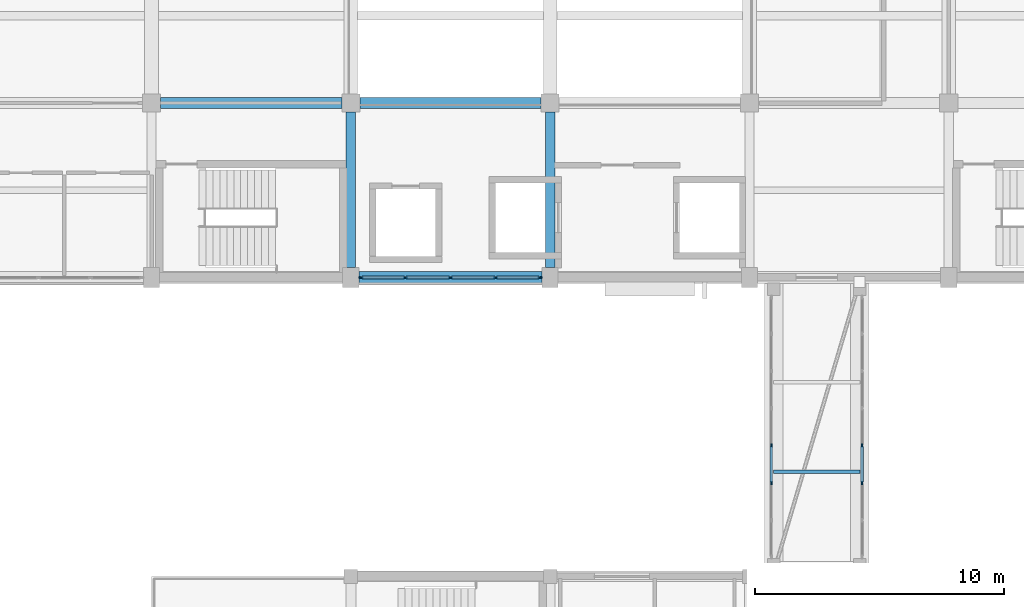
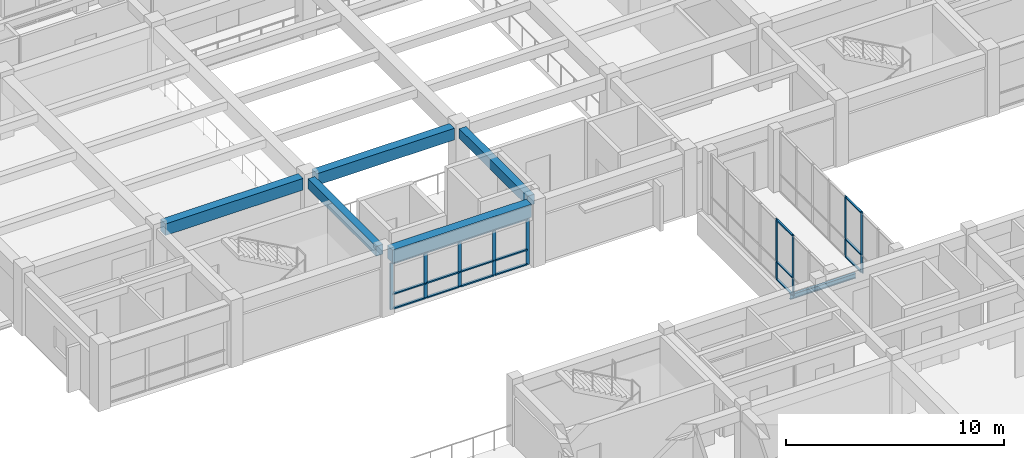
# One storey, part 9 of 42: 27 members, 6 beams, 3 elements without a shape of their own.
"""IFC4 building model written with IfcOpenShell, lengths in metres."""

import ifcopenshell
import ifcopenshell.guid

model = None  # the IFC model being written
_history = None  # IfcOwnerHistory: only IFC2X3 demands one
_inside = {}  # id of a spatial element -> (the spatial element, [elements in it])
_under = {}  # id of a project, library or spatial element -> (it, [spatial elements below it])
_declared = {}  # id of a project -> (the project, [libraries it declares])
_typed = {}  # id of a type object -> (the type object, [elements of that type])
_made_of = {}  # id of a material, layer set ... -> (it, [elements and type objects made of it])


def new_model(schema):
    """Start an empty IFC model of exactly this schema.

    Asked for "IFC4X3", IfcOpenShell would pick the latest addendum, in which some entities
    have other attributes; the version numbers below select the first issue.
    IFC2X3 requires an IfcOwnerHistory on every rooted entity: one is made here for all.
    """
    global model, _history
    if schema == "IFC4X3":
        model = ifcopenshell.file(schema_version=(4, 3, 0, 0))
    else:
        model = ifcopenshell.file(schema=schema)
    _inside.clear()
    _under.clear()
    _declared.clear()
    _typed.clear()
    _made_of.clear()
    _history = None
    if model.schema == "IFC2X3":
        org = make("IfcOrganization", Name="unknown")
        user = make(
            "IfcPersonAndOrganization",
            ThePerson=make("IfcPerson", FamilyName="unknown"),
            TheOrganization=org,
        )
        app = make(
            "IfcApplication",
            ApplicationDeveloper=org,
            Version="unknown",
            ApplicationFullName="unknown",
            ApplicationIdentifier="unknown",
        )
        _history = make(
            "IfcOwnerHistory",
            OwningUser=user,
            OwningApplication=app,
            ChangeAction="ADDED",
            CreationDate=0,
        )
    return model


def make(cls, **values):
    """One entity of the class cls with the attributes given. An attribute that is None is left unset."""
    return model.create_entity(
        cls, **{name: value for name, value in values.items() if value is not None}
    )


def rooted(cls, **values):
    """An entity with a GlobalId (a new one), such as an element, a storey or a relation."""
    return make(cls, GlobalId=ifcopenshell.guid.new(), OwnerHistory=_history, **values)


def si_unit(unit_type, name, prefix=None):
    """IfcSIUnit, for example si_unit("LENGTHUNIT", "METRE", prefix="MILLI")."""
    return make("IfcSIUnit", UnitType=unit_type, Prefix=prefix, Name=name)


def assignment(units):
    """IfcUnitAssignment: the units of a project."""
    return None if units is None else make("IfcUnitAssignment", Units=units)


def point(xyz):
    """IfcCartesianPoint."""
    return None if xyz is None else make("IfcCartesianPoint", Coordinates=xyz)


def direction(xyz):
    """IfcDirection."""
    return None if xyz is None else make("IfcDirection", DirectionRatios=xyz)


def frame(location, z_axis=None, x_axis=None):
    """IfcAxis2Placement3D, a coordinate frame: its origin and axes. An axis left out is left unset."""
    return make(
        "IfcAxis2Placement3D",
        Location=point(location),
        Axis=direction(z_axis),
        RefDirection=direction(x_axis),
    )


def frame_2d(location, x_axis=None):
    """IfcAxis2Placement2D, a coordinate frame in the plane: its origin and x axis."""
    return make(
        "IfcAxis2Placement2D", Location=point(location), RefDirection=direction(x_axis)
    )


def origin():
    """The frame at (0, 0, 0) with its axes left unset."""
    return frame((0.0, 0.0, 0.0))


def origin_2d():
    """The frame at (0, 0) in the plane with its x axis left unset."""
    return frame_2d((0.0, 0.0))


def place(relative_to, where):
    """IfcLocalPlacement: puts the frame where relative to a parent placement (None: the world)."""
    return make(
        "IfcLocalPlacement", PlacementRelTo=relative_to, RelativePlacement=where
    )


def context(
    kind, dimensions, precision=None, world=None, true_north=None, identifier=None
):
    """IfcGeometricRepresentationContext, for example the 3D "Model" context."""
    return make(
        "IfcGeometricRepresentationContext",
        ContextIdentifier=identifier,
        ContextType=kind,
        CoordinateSpaceDimension=dimensions,
        Precision=precision,
        WorldCoordinateSystem=world,
        TrueNorth=true_north,
    )


def subcontext(parent, identifier, kind, view, scale=None):
    """IfcGeometricRepresentationSubContext, for example "Body" below "Model"."""
    return make(
        "IfcGeometricRepresentationSubContext",
        ContextIdentifier=identifier,
        ContextType=kind,
        ParentContext=parent,
        TargetScale=scale,
        TargetView=view,
    )


def project(units=None, contexts=None):
    """IfcProject with its units and contexts."""
    return rooted(
        "IfcProject",
        Name="project",
        RepresentationContexts=contexts,
        UnitsInContext=assignment(units),
    )


def spatial(cls, under=None, at=None, **own):
    """A site, building, storey or space (cls), placed at a placement, below another one or the project."""
    s = rooted(cls, ObjectPlacement=at, **own)
    if under is not None:
        _under.setdefault(under.id(), (under, []))[1].append(s)
    return s


def profile(cls, at=None, kind="AREA", **sizes):
    """A parametric profile (cls). Its sizes go by their IFC names, for example OverallWidth=200.0."""
    return make(cls, ProfileType=kind, Position=at, **sizes)


def rectangle(**sizes):
    """IfcRectangleProfileDef."""
    return profile("IfcRectangleProfileDef", **sizes)


def i_section(**sizes):
    """IfcIShapeProfileDef."""
    return profile("IfcIShapeProfileDef", **sizes)


def extrude(swept, where, along, depth):
    """IfcExtrudedAreaSolid: the profile swept, set in the frame where, extruded along a direction by depth."""
    return make(
        "IfcExtrudedAreaSolid",
        SweptArea=swept,
        Position=where,
        ExtrudedDirection=direction(along),
        Depth=depth,
    )


def shape(context_of_items, identifier, shape_type, items):
    """IfcShapeRepresentation: the items that make up one representation, for example the "Body"."""
    return make(
        "IfcShapeRepresentation",
        ContextOfItems=context_of_items,
        RepresentationIdentifier=identifier,
        RepresentationType=shape_type,
        Items=items,
    )


def material(Name=None, Category=None):
    """IfcMaterial."""
    return make("IfcMaterial", Name=Name, Category=Category)


def layer(
    of_material, thickness, ventilated=None, Name=None, Category=None, Priority=None
):
    """IfcMaterialLayer: one layer of a wall or slab, of a material (None: an air gap)."""
    return make(
        "IfcMaterialLayer",
        Material=of_material,
        LayerThickness=thickness,
        IsVentilated=ventilated,
        Name=Name,
        Category=Category,
        Priority=Priority,
    )


def layer_set(layers, Name=None):
    """IfcMaterialLayerSet."""
    return make("IfcMaterialLayerSet", MaterialLayers=layers, LayerSetName=Name)


def material_profile(
    of_material, cross_section, Name=None, Category=None, Priority=None
):
    """IfcMaterialProfile: a cross section and its material."""
    return make(
        "IfcMaterialProfile",
        Name=Name,
        Material=of_material,
        Profile=cross_section,
        Priority=Priority,
        Category=Category,
    )


def profile_set(profiles, Name=None, composite=None):
    """IfcMaterialProfileSet."""
    return make(
        "IfcMaterialProfileSet",
        Name=Name,
        MaterialProfiles=profiles,
        CompositeProfile=composite,
    )


def made_of(thing, what):
    """Note that an element or type object is made of a material, layer set ...; save() writes the relation."""
    if what is not None:
        _made_of.setdefault(what.id(), (what, []))[1].append(thing)
    return thing


def type_object(cls, material=None, **own):
    """A type object (cls), such as IfcWallType, which elements share."""
    return made_of(rooted(cls, **own), material)


def element(
    cls,
    number,
    at=None,
    inside=None,
    cuts=None,
    type_object=None,
    material=None,
    context=None,
    identifier="Body",
    shape_type=None,
    held_by="IfcProductDefinitionShape",
    body=None,
    shapes=None,
    **own,
):
    """One element of the class cls, such as IfcWall. Its Tag is "e" and its number.

    at: its placement. inside: the storey or other place that contains it. cuts: it is an
    opening in that element (IfcRelVoidsElement). A single representation is given by context,
    identifier, shape_type and body (its items); several are given by shapes. held_by: the class
    of the entity that holds the representations. save() writes the other relations.
    """
    e = rooted(cls, Tag="e%d" % number, ObjectPlacement=at, **own)
    if body is not None:
        shapes = [shape(context, identifier, shape_type, body)]
    if shapes is not None:
        e.Representation = make(held_by, Representations=shapes)
    if inside is not None:
        _inside.setdefault(inside.id(), (inside, []))[1].append(e)
    if cuts is not None:
        rooted(
            "IfcRelVoidsElement", RelatingBuildingElement=cuts, RelatedOpeningElement=e
        )
    if type_object is not None:
        _typed.setdefault(type_object.id(), (type_object, []))[1].append(e)
    return made_of(e, material)


def aggregate(whole, parts):
    """IfcRelAggregates: a whole, such as a stair, and the parts it consists of."""
    return rooted("IfcRelAggregates", RelatingObject=whole, RelatedObjects=parts)


def save(model, path):
    """Write the relations noted so far, then the file.

    IfcRelAggregates (storeys below a building ...), IfcRelContainedInSpatialStructure (elements
    in a storey), IfcRelDefinesByType, IfcRelAssociatesMaterial and IfcRelDeclares: one each for
    every whole, place, type object, material and project.
    """
    for whole, parts in _under.values():
        aggregate(whole, parts)
    for where, things in _inside.values():
        rooted(
            "IfcRelContainedInSpatialStructure",
            RelatedElements=things,
            RelatingStructure=where,
        )
    for kind, things in _typed.values():
        rooted("IfcRelDefinesByType", RelatedObjects=things, RelatingType=kind)
    for what, things in _made_of.values():
        rooted("IfcRelAssociatesMaterial", RelatedObjects=things, RelatingMaterial=what)
    for by, libraries in _declared.values():
        rooted("IfcRelDeclares", RelatingContext=by, RelatedDefinitions=libraries)
    model.write(path)


model = new_model("IFC4")

# Units and contexts
model_context = context("Model", 3, precision=1e-05, world=origin(), true_north=direction((0.0, 1.0)))
body_context = subcontext(model_context, "Body", "Model", "MODEL_VIEW")
ifc_project = project(units=[si_unit("LENGTHUNIT", "METRE"), si_unit("AREAUNIT", "SQUARE_METRE"), si_unit("VOLUMEUNIT", "CUBIC_METRE"), si_unit("PLANEANGLEUNIT", "RADIAN"), si_unit("MASSUNIT", "GRAM", prefix="KILO")], contexts=[model_context])

# Site, building, storey
site_placement = place(None, origin())
site = spatial("IfcSite", under=ifc_project, at=site_placement, CompositionType="ELEMENT")
building_placement = place(site_placement, origin())
building = spatial("IfcBuilding", under=site, at=building_placement, Name="Naurynzar Civic Courthouse", CompositionType="ELEMENT")
storey_placement = place(building_placement, frame((0.0, 0.0, 18.300048828125)))
storey = spatial("IfcBuildingStorey", under=building, at=storey_placement, Name="L05", CompositionType="ELEMENT", Elevation=18.300048828125)

# Beams
ifc_material_1 = material(Name="Concrete C40/50", Category="concrete")
ifc_material_profile_1 = material_profile(ifc_material_1, rectangle(XDim=0.375, YDim=0.550048828125, at=origin_2d()), Name="RCB 375x550")
ifc_profile_set_1 = profile_set([ifc_material_profile_1], Name="Concrete C40/50")
beam_type_1 = type_object("IfcBeamType", Name="BM-RC-375x550", PredefinedType="BEAM", material=ifc_profile_set_1)
for number, where, z_axis, x_axis, name in (
    (1, (77.0, 44.39990234375, 3.195068359375), (0.0, 1.0, 0.0), (-1.0, 0.0, 0.0), "V2 girder Y-780 L05"),
    (2, (85.0, 44.39990234375, 3.195068359375), (0.0, 1.0, 0.0), (-1.0, 0.0, 0.0), "V2 girder Y-783 L05"),
):
    element("IfcBeam", number, at=place(storey_placement, frame(where, z_axis=z_axis, x_axis=x_axis)), inside=storey, type_object=beam_type_1, Name=name, PredefinedType="BEAM", context=body_context, shape_type="SweptSolid", body=[
        extrude(rectangle(XDim=0.375, YDim=0.550048828125, at=origin_2d()), origin(), (0.0, 0.0, 1.0), 6.237548828125),
    ])
ifc_material_2 = material(Name="Concrete C40/50", Category="concrete")
ifc_material_profile_2 = material_profile(ifc_material_2, rectangle(XDim=0.449951171875, YDim=0.64990234375, at=origin_2d()), Name="RCB 450x650")
ifc_profile_set_2 = profile_set([ifc_material_profile_2], Name="Concrete C40/50")
beam_type_2 = type_object("IfcBeamType", Name="BM-RC-450x650", PredefinedType="BEAM", material=ifc_profile_set_2)
for number, where, z_axis, x_axis, name in (
    (3, (69.362548828125, 51.0, 3.14501953125), (1.0, 0.0, 0.0), (0.0, 1.0, 0.0), "V2 beam X-751 L05"),
    (4, (77.362548828125, 51.0, 3.14501953125), (1.0, 0.0, 0.0), (0.0, 1.0, 0.0), "V2 beam X-752 L05"),
):
    element("IfcBeam", number, at=place(storey_placement, frame(where, z_axis=z_axis, x_axis=x_axis)), inside=storey, type_object=beam_type_2, Name=name, PredefinedType="BEAM", context=body_context, shape_type="SweptSolid", body=[
        extrude(rectangle(XDim=0.449951171875, YDim=0.64990234375, at=origin_2d()), origin(), (0.0, 0.0, 1.0), 7.27490234375),
    ])
ifc_material_3 = material(Name="Concrete C40/50", Category="concrete")
ifc_material_profile_3 = material_profile(ifc_material_3, rectangle(XDim=0.47509765625, YDim=0.72509765625, at=origin_2d()), Name="RCB 475x725")
ifc_profile_set_3 = profile_set([ifc_material_profile_3], Name="Concrete C40/50")
beam_type_3 = type_object("IfcBeamType", Name="BM-RC-475x725", PredefinedType="SPANDREL", material=ifc_profile_set_3)
beam_1_placement = place(storey_placement, frame((77.324951171875, 44.0, 3.107421875), z_axis=(1.0, 0.0, 0.0), x_axis=(0.0, 1.0, 0.0)))
element("IfcBeam", 5, at=beam_1_placement, inside=storey, type_object=beam_type_3, Name="V2 beam X-744 L05", PredefinedType="SPANDREL", context=body_context, shape_type="SweptSolid", body=[
    extrude(rectangle(XDim=0.47509765625, YDim=0.72509765625, at=origin_2d()), origin(), (0.0, 0.0, 1.0), 7.35009765625),
])
ifc_material_4 = material(Name="Steel S355", Category="steel")
ifc_material_profile_4 = material_profile(ifc_material_4, i_section(OverallWidth=0.135009765625, OverallDepth=0.27001953125, WebThickness=0.006591796875, FlangeThickness=0.01025390625, FilletRadius=0.014892578125, at=origin_2d()), Name="IPE 270")
ifc_profile_set_4 = profile_set([ifc_material_profile_4], Name="Steel S355")
beam_type_4 = type_object("IfcBeamType", Name="BM-STL-IPE270", PredefinedType="BEAM", material=ifc_profile_set_4)
beam_2_placement = place(storey_placement, frame((93.969970703125, 36.2060546875, -0.375), z_axis=(1.0, 0.0, 0.0), x_axis=(0.0, 1.0, 0.0)))
element("IfcBeam", 6, at=beam_2_placement, inside=storey, type_object=beam_type_4, Name="BR-C1 deck cross-beam L05.1", PredefinedType="BEAM", context=body_context, shape_type="SweptSolid", body=[
    extrude(i_section(OverallWidth=0.135009765625, OverallDepth=0.27001953125, WebThickness=0.006591796875, FlangeThickness=0.01025390625, FilletRadius=0.014892578125, at=origin_2d()), origin(), (0.0, 0.0, 1.0), 3.4599609375),
])

# Curtain wall, members
ifc_material_5 = material(Name="Aluminium 6063-T6", Category="aluminium")
ifc_layer_1 = layer(ifc_material_5, 0.14990234375)
ifc_layer_set_1 = layer_set([ifc_layer_1], Name="CW-BRIDGE-1500")
curtain_wall_type_1 = type_object("IfcCurtainWallType", Name="CW-BRIDGE-1500", PredefinedType="USERDEFINED", material=ifc_layer_set_1)
curtain_wall_1_placement = place(storey_placement, origin())
curtain_wall_1 = element("IfcCurtainWall", 7, at=curtain_wall_1_placement, inside=storey, type_object=curtain_wall_type_1, Name="BR-C1 glazed bridge screen L05.1", ObjectType="GLAZED BRIDGE SCREEN", PredefinedType="USERDEFINED")
ifc_material_6 = material(Name="Aluminium 6063-T6", Category="aluminium")
ifc_material_profile_5 = material_profile(ifc_material_6, rectangle(XDim=0.06005859375, YDim=0.14990234375, at=origin_2d()), Name="ALU MULLION 60x150")
ifc_profile_set_5 = profile_set([ifc_material_profile_5], Name="Aluminium 6063-T6")
member_type_1 = type_object("IfcMemberType", Name="CWM-60x150", PredefinedType="MULLION", material=ifc_profile_set_5)
member_1_placement = place(storey_placement, frame((93.8798828125, 37.25146484375, 0.0), z_axis=(0.0, 0.0, 1.0), x_axis=(1.0, 0.0, 0.0)))
member_1 = element("IfcMember", 8, at=member_1_placement, type_object=member_type_1, Name="CW-03 mullion 5", PredefinedType="MULLION", context=body_context, shape_type="SweptSolid", body=[
    extrude(rectangle(XDim=0.06005859375, YDim=0.14990234375, at=origin_2d()), origin(), (0.0, 0.0, 1.0), 3.369873046875),
])
member_2_placement = place(storey_placement, frame((93.8798828125, 35.75439453125, 0.0), z_axis=(0.0, 0.0, 1.0), x_axis=(1.0, 0.0, 0.0)))
member_2 = element("IfcMember", 9, at=member_2_placement, type_object=member_type_1, Name="CW-03 mullion 6", PredefinedType="MULLION", context=body_context, shape_type="SweptSolid", body=[
    extrude(rectangle(XDim=0.06005859375, YDim=0.14990234375, at=origin_2d()), origin(), (0.0, 0.0, 1.0), 3.369873046875),
])

curtain_wall_2_placement = place(storey_placement, origin())
curtain_wall_2 = element("IfcCurtainWall", 10, at=curtain_wall_2_placement, inside=storey, type_object=curtain_wall_type_1, Name="BR-C1 glazed bridge screen L05.2", ObjectType="GLAZED BRIDGE SCREEN", PredefinedType="USERDEFINED")
member_3_placement = place(storey_placement, frame((97.52001953125, 35.75439453125, 0.0), z_axis=(0.0, 0.0, 1.0), x_axis=(-1.0, 0.0, 0.0)))
member_3 = element("IfcMember", 11, at=member_3_placement, type_object=member_type_1, Name="CW-03 mullion 3", PredefinedType="MULLION", context=body_context, shape_type="SweptSolid", body=[
    extrude(rectangle(XDim=0.06005859375, YDim=0.14990234375, at=origin_2d()), origin(), (0.0, 0.0, 1.0), 3.369873046875),
])
member_4_placement = place(storey_placement, frame((97.52001953125, 37.25146484375, 0.0), z_axis=(0.0, 0.0, 1.0), x_axis=(-1.0, 0.0, 0.0)))
member_4 = element("IfcMember", 12, at=member_4_placement, type_object=member_type_1, Name="CW-03 mullion 4", PredefinedType="MULLION", context=body_context, shape_type="SweptSolid", body=[
    extrude(rectangle(XDim=0.06005859375, YDim=0.14990234375, at=origin_2d()), origin(), (0.0, 0.0, 1.0), 3.369873046875),
])

ifc_material_7 = material(Name="Aluminium 6063-T6", Category="aluminium")
ifc_layer_2 = layer(ifc_material_7, 0.159912109375)
ifc_layer_set_2 = layer_set([ifc_layer_2], Name="CW-UNIT-1800")
curtain_wall_type_2 = type_object("IfcCurtainWallType", Name="CW-UNIT-1800", PredefinedType="NOTDEFINED", material=ifc_layer_set_2)
curtain_wall_3_placement = place(storey_placement, origin())
curtain_wall_3 = element("IfcCurtainWall", 13, at=curtain_wall_3_placement, inside=storey, type_object=curtain_wall_type_2, Name="V2 unitised curtain wall 41 L05", PredefinedType="NOTDEFINED")
ifc_material_8 = material(Name="Aluminium 6063-T6", Category="aluminium")
ifc_material_profile_6 = material_profile(ifc_material_8, rectangle(XDim=0.070068359375, YDim=0.179931640625, at=origin_2d()), Name="ALU MULLION 70x180")
ifc_profile_set_6 = profile_set([ifc_material_profile_6], Name="Aluminium 6063-T6")
member_type_2 = type_object("IfcMemberType", Name="CWM-70x180", PredefinedType="MULLION", material=ifc_profile_set_6)
member_5_placement = place(storey_placement, frame((84.590087890625, 44.0, 0.0), z_axis=(0.0, 0.0, 1.0), x_axis=(0.0, -1.0, 0.0)))
member_5 = element("IfcMember", 14, at=member_5_placement, type_object=member_type_2, Name="CW-02 mullion 1", PredefinedType="MULLION", context=body_context, shape_type="SweptSolid", body=[
    extrude(rectangle(XDim=0.070068359375, YDim=0.179931640625, at=origin_2d()), origin(), (0.0, 0.0, 1.0), 2.599853515625),
])
member_6_placement = place(storey_placement, frame((82.8125, 44.0, 0.0), z_axis=(0.0, 0.0, 1.0), x_axis=(0.0, -1.0, 0.0)))
member_6 = element("IfcMember", 15, at=member_6_placement, type_object=member_type_2, Name="CW-02 mullion 2", PredefinedType="MULLION", context=body_context, shape_type="SweptSolid", body=[
    extrude(rectangle(XDim=0.070068359375, YDim=0.179931640625, at=origin_2d()), origin(), (0.0, 0.0, 1.0), 2.599853515625),
])
member_7_placement = place(storey_placement, frame((81.0, 44.0, 0.0), z_axis=(0.0, 0.0, 1.0), x_axis=(0.0, -1.0, 0.0)))
member_7 = element("IfcMember", 16, at=member_7_placement, type_object=member_type_2, Name="CW-02 mullion 3", PredefinedType="MULLION", context=body_context, shape_type="SweptSolid", body=[
    extrude(rectangle(XDim=0.070068359375, YDim=0.179931640625, at=origin_2d()), origin(), (0.0, 0.0, 1.0), 2.599853515625),
])
member_8_placement = place(storey_placement, frame((79.1875, 44.0, 0.0), z_axis=(0.0, 0.0, 1.0), x_axis=(0.0, -1.0, 0.0)))
member_8 = element("IfcMember", 17, at=member_8_placement, type_object=member_type_2, Name="CW-02 mullion 4", PredefinedType="MULLION", context=body_context, shape_type="SweptSolid", body=[
    extrude(rectangle(XDim=0.070068359375, YDim=0.179931640625, at=origin_2d()), origin(), (0.0, 0.0, 1.0), 2.599853515625),
])
member_9_placement = place(storey_placement, frame((77.409912109375, 44.0, 0.0), z_axis=(0.0, 0.0, 1.0), x_axis=(0.0, -1.0, 0.0)))
member_9 = element("IfcMember", 18, at=member_9_placement, type_object=member_type_2, Name="CW-02 mullion 5", PredefinedType="MULLION", context=body_context, shape_type="SweptSolid", body=[
    extrude(rectangle(XDim=0.070068359375, YDim=0.179931640625, at=origin_2d()), origin(), (0.0, 0.0, 1.0), 2.599853515625),
])

# Member
ifc_material_9 = material(Name="Aluminium 6063-T6", Category="aluminium")
ifc_material_profile_7 = material_profile(ifc_material_9, rectangle(XDim=0.110107421875, YDim=0.06005859375, at=origin_2d()), Name="ALU TRANSOM 60x110")
ifc_profile_set_7 = profile_set([ifc_material_profile_7], Name="Aluminium 6063-T6")
member_type_3 = type_object("IfcMemberType", Name="CWT-60x110", PredefinedType="USERDEFINED", material=ifc_profile_set_7)
member_10_placement = place(storey_placement, frame((93.8798828125, 37.221435546875, 0.030029296875), z_axis=(0.0, -1.0, 0.0), x_axis=(1.0, 0.0, 0.0)))
member_10 = element("IfcMember", 19, at=member_10_placement, type_object=member_type_3, Name="CW-03 transom 5.1", ObjectType="TRANSOM", PredefinedType="USERDEFINED", context=body_context, shape_type="SweptSolid", body=[
    extrude(rectangle(XDim=0.110107421875, YDim=0.06005859375, at=origin_2d()), origin(), (0.0, 0.0, 1.0), 1.437255859375),
])

member_11_placement = place(storey_placement, frame((93.8798828125, 37.221435546875, 1.0), z_axis=(0.0, -1.0, 0.0), x_axis=(1.0, 0.0, 0.0)))
member_11 = element("IfcMember", 20, at=member_11_placement, type_object=member_type_3, Name="CW-03 transom 5.2", ObjectType="TRANSOM", PredefinedType="USERDEFINED", context=body_context, shape_type="SweptSolid", body=[
    extrude(rectangle(XDim=0.110107421875, YDim=0.06005859375, at=origin_2d()), origin(), (0.0, 0.0, 1.0), 1.437255859375),
])

member_12_placement = place(storey_placement, frame((93.8798828125, 37.221435546875, 3.33984375), z_axis=(0.0, -1.0, 0.0), x_axis=(1.0, 0.0, 0.0)))
member_12 = element("IfcMember", 21, at=member_12_placement, type_object=member_type_3, Name="CW-03 transom 5.3", ObjectType="TRANSOM", PredefinedType="USERDEFINED", context=body_context, shape_type="SweptSolid", body=[
    extrude(rectangle(XDim=0.110107421875, YDim=0.06005859375, at=origin_2d()), origin(), (0.0, 0.0, 1.0), 1.437255859375),
])

aggregate(curtain_wall_1, [member_1, member_2, member_10, member_11, member_12])

member_13_placement = place(storey_placement, frame((97.52001953125, 35.7841796875, 0.030029296875), z_axis=(0.0, 1.0, 0.0), x_axis=(-1.0, 0.0, 0.0)))
member_13 = element("IfcMember", 22, at=member_13_placement, type_object=member_type_3, Name="CW-03 transom 3.1", ObjectType="TRANSOM", PredefinedType="USERDEFINED", context=body_context, shape_type="SweptSolid", body=[
    extrude(rectangle(XDim=0.110107421875, YDim=0.06005859375, at=origin_2d()), origin(), (0.0, 0.0, 1.0), 1.437255859375),
])

member_14_placement = place(storey_placement, frame((97.52001953125, 35.7841796875, 1.0), z_axis=(0.0, 1.0, 0.0), x_axis=(-1.0, 0.0, 0.0)))
member_14 = element("IfcMember", 23, at=member_14_placement, type_object=member_type_3, Name="CW-03 transom 3.2", ObjectType="TRANSOM", PredefinedType="USERDEFINED", context=body_context, shape_type="SweptSolid", body=[
    extrude(rectangle(XDim=0.110107421875, YDim=0.06005859375, at=origin_2d()), origin(), (0.0, 0.0, 1.0), 1.437255859375),
])

member_15_placement = place(storey_placement, frame((97.52001953125, 35.7841796875, 3.33984375), z_axis=(0.0, 1.0, 0.0), x_axis=(-1.0, 0.0, 0.0)))
member_15 = element("IfcMember", 24, at=member_15_placement, type_object=member_type_3, Name="CW-03 transom 3.3", ObjectType="TRANSOM", PredefinedType="USERDEFINED", context=body_context, shape_type="SweptSolid", body=[
    extrude(rectangle(XDim=0.110107421875, YDim=0.06005859375, at=origin_2d()), origin(), (0.0, 0.0, 1.0), 1.437255859375),
])

aggregate(curtain_wall_2, [member_3, member_4, member_13, member_14, member_15])

ifc_material_10 = material(Name="Aluminium 6063-T6", Category="aluminium")
ifc_material_profile_8 = material_profile(ifc_material_10, rectangle(XDim=0.1298828125, YDim=0.070068359375, at=origin_2d()), Name="ALU TRANSOM 70x130")
ifc_profile_set_8 = profile_set([ifc_material_profile_8], Name="Aluminium 6063-T6")
member_type_4 = type_object("IfcMemberType", Name="CWT-70x130", PredefinedType="USERDEFINED", material=ifc_profile_set_8)
member_16_placement = place(storey_placement, frame((84.554931640625, 44.0, 0.034912109375), z_axis=(-1.0, 0.0, 0.0), x_axis=(0.0, -1.0, 0.0)))
member_16 = element("IfcMember", 25, at=member_16_placement, type_object=member_type_4, Name="CW-02 transom 1.1", ObjectType="TRANSOM", PredefinedType="USERDEFINED", context=body_context, shape_type="SweptSolid", body=[
    extrude(rectangle(XDim=0.1298828125, YDim=0.070068359375, at=origin_2d()), origin(), (0.0, 0.0, 1.0), 1.70751953125),
])

member_17_placement = place(storey_placement, frame((84.554931640625, 44.0, 0.849853515625), z_axis=(-1.0, 0.0, 0.0), x_axis=(0.0, -1.0, 0.0)))
member_17 = element("IfcMember", 26, at=member_17_placement, type_object=member_type_4, Name="CW-02 transom 1.2", ObjectType="TRANSOM", PredefinedType="USERDEFINED", context=body_context, shape_type="SweptSolid", body=[
    extrude(rectangle(XDim=0.1298828125, YDim=0.070068359375, at=origin_2d()), origin(), (0.0, 0.0, 1.0), 1.70751953125),
])

member_18_placement = place(storey_placement, frame((84.554931640625, 44.0, 2.56494140625), z_axis=(-1.0, 0.0, 0.0), x_axis=(0.0, -1.0, 0.0)))
member_18 = element("IfcMember", 27, at=member_18_placement, type_object=member_type_4, Name="CW-02 transom 1.3", ObjectType="TRANSOM", PredefinedType="USERDEFINED", context=body_context, shape_type="SweptSolid", body=[
    extrude(rectangle(XDim=0.1298828125, YDim=0.070068359375, at=origin_2d()), origin(), (0.0, 0.0, 1.0), 1.70751953125),
])

member_19_placement = place(storey_placement, frame((82.777587890625, 44.0, 0.034912109375), z_axis=(-1.0, 0.0, 0.0), x_axis=(0.0, -1.0, 0.0)))
member_19 = element("IfcMember", 28, at=member_19_placement, type_object=member_type_4, Name="CW-02 transom 2.1", ObjectType="TRANSOM", PredefinedType="USERDEFINED", context=body_context, shape_type="SweptSolid", body=[
    extrude(rectangle(XDim=0.1298828125, YDim=0.070068359375, at=origin_2d()), origin(), (0.0, 0.0, 1.0), 1.74267578125),
])

member_20_placement = place(storey_placement, frame((82.777587890625, 44.0, 0.849853515625), z_axis=(-1.0, 0.0, 0.0), x_axis=(0.0, -1.0, 0.0)))
member_20 = element("IfcMember", 29, at=member_20_placement, type_object=member_type_4, Name="CW-02 transom 2.2", ObjectType="TRANSOM", PredefinedType="USERDEFINED", context=body_context, shape_type="SweptSolid", body=[
    extrude(rectangle(XDim=0.1298828125, YDim=0.070068359375, at=origin_2d()), origin(), (0.0, 0.0, 1.0), 1.74267578125),
])

member_21_placement = place(storey_placement, frame((82.777587890625, 44.0, 2.56494140625), z_axis=(-1.0, 0.0, 0.0), x_axis=(0.0, -1.0, 0.0)))
member_21 = element("IfcMember", 30, at=member_21_placement, type_object=member_type_4, Name="CW-02 transom 2.3", ObjectType="TRANSOM", PredefinedType="USERDEFINED", context=body_context, shape_type="SweptSolid", body=[
    extrude(rectangle(XDim=0.1298828125, YDim=0.070068359375, at=origin_2d()), origin(), (0.0, 0.0, 1.0), 1.74267578125),
])

member_22_placement = place(storey_placement, frame((80.965087890625, 44.0, 0.034912109375), z_axis=(-1.0, 0.0, 0.0), x_axis=(0.0, -1.0, 0.0)))
member_22 = element("IfcMember", 31, at=member_22_placement, type_object=member_type_4, Name="CW-02 transom 3.1", ObjectType="TRANSOM", PredefinedType="USERDEFINED", context=body_context, shape_type="SweptSolid", body=[
    extrude(rectangle(XDim=0.1298828125, YDim=0.070068359375, at=origin_2d()), origin(), (0.0, 0.0, 1.0), 1.74267578125),
])

member_23_placement = place(storey_placement, frame((80.965087890625, 44.0, 0.849853515625), z_axis=(-1.0, 0.0, 0.0), x_axis=(0.0, -1.0, 0.0)))
member_23 = element("IfcMember", 32, at=member_23_placement, type_object=member_type_4, Name="CW-02 transom 3.2", ObjectType="TRANSOM", PredefinedType="USERDEFINED", context=body_context, shape_type="SweptSolid", body=[
    extrude(rectangle(XDim=0.1298828125, YDim=0.070068359375, at=origin_2d()), origin(), (0.0, 0.0, 1.0), 1.74267578125),
])

member_24_placement = place(storey_placement, frame((80.965087890625, 44.0, 2.56494140625), z_axis=(-1.0, 0.0, 0.0), x_axis=(0.0, -1.0, 0.0)))
member_24 = element("IfcMember", 33, at=member_24_placement, type_object=member_type_4, Name="CW-02 transom 3.3", ObjectType="TRANSOM", PredefinedType="USERDEFINED", context=body_context, shape_type="SweptSolid", body=[
    extrude(rectangle(XDim=0.1298828125, YDim=0.070068359375, at=origin_2d()), origin(), (0.0, 0.0, 1.0), 1.74267578125),
])

member_25_placement = place(storey_placement, frame((79.152587890625, 44.0, 0.034912109375), z_axis=(-1.0, 0.0, 0.0), x_axis=(0.0, -1.0, 0.0)))
member_25 = element("IfcMember", 34, at=member_25_placement, type_object=member_type_4, Name="CW-02 transom 4.1", ObjectType="TRANSOM", PredefinedType="USERDEFINED", context=body_context, shape_type="SweptSolid", body=[
    extrude(rectangle(XDim=0.1298828125, YDim=0.070068359375, at=origin_2d()), origin(), (0.0, 0.0, 1.0), 1.70751953125),
])

member_26_placement = place(storey_placement, frame((79.152587890625, 44.0, 0.849853515625), z_axis=(-1.0, 0.0, 0.0), x_axis=(0.0, -1.0, 0.0)))
member_26 = element("IfcMember", 35, at=member_26_placement, type_object=member_type_4, Name="CW-02 transom 4.2", ObjectType="TRANSOM", PredefinedType="USERDEFINED", context=body_context, shape_type="SweptSolid", body=[
    extrude(rectangle(XDim=0.1298828125, YDim=0.070068359375, at=origin_2d()), origin(), (0.0, 0.0, 1.0), 1.70751953125),
])

member_27_placement = place(storey_placement, frame((79.152587890625, 44.0, 2.56494140625), z_axis=(-1.0, 0.0, 0.0), x_axis=(0.0, -1.0, 0.0)))
member_27 = element("IfcMember", 36, at=member_27_placement, type_object=member_type_4, Name="CW-02 transom 4.3", ObjectType="TRANSOM", PredefinedType="USERDEFINED", context=body_context, shape_type="SweptSolid", body=[
    extrude(rectangle(XDim=0.1298828125, YDim=0.070068359375, at=origin_2d()), origin(), (0.0, 0.0, 1.0), 1.70751953125),
])

aggregate(curtain_wall_3, [member_5, member_6, member_7, member_8, member_9, member_16, member_17, member_18, member_19, member_20, member_21, member_22, member_23, member_24, member_25, member_26, member_27])

save(model, "model.ifc")
